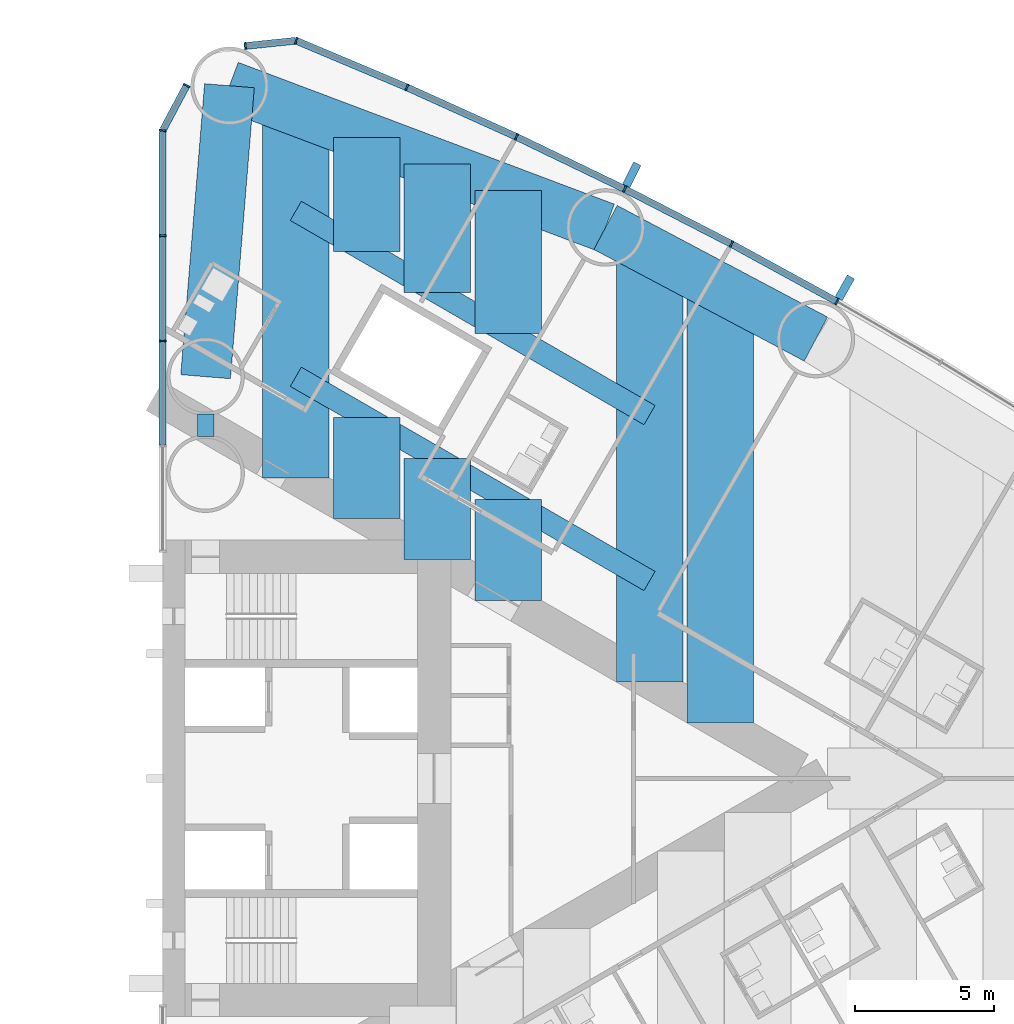
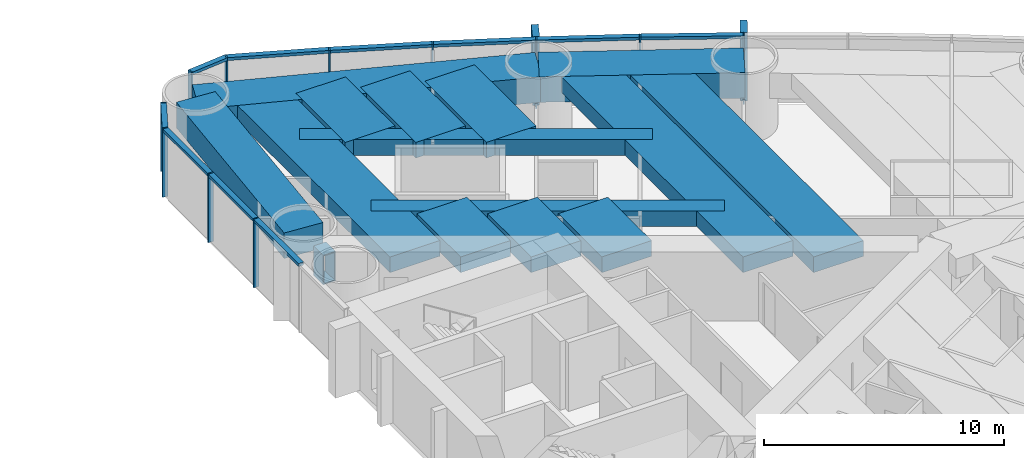
# One storey, part 7 of 18: 23 members, 15 beams, 2 elements without a shape of their own.
"""IFC4 building model written with IfcOpenShell, lengths in metres."""

from ifc_helpers import new_model, si_unit, direction, frame, origin, origin_2d, place, context, subcontext, project, spatial, rectangle, hollow_rectangle, extrude, material, material_profile, profile_set, type_object, element, aggregate, save


model = new_model("IFC4")

# Units and contexts
model_context = context("Model", 3, precision=1e-05, world=origin(), true_north=direction((0.0, 1.0)))
body_context = subcontext(model_context, "Body", "Model", "MODEL_VIEW")
ifc_project = project(units=[si_unit("LENGTHUNIT", "METRE"), si_unit("AREAUNIT", "SQUARE_METRE"), si_unit("VOLUMEUNIT", "CUBIC_METRE"), si_unit("PLANEANGLEUNIT", "RADIAN"), si_unit("MASSUNIT", "GRAM", prefix="KILO")], contexts=[model_context])

# Site, building, storey
site_placement = place(None, origin())
site = spatial("IfcSite", under=ifc_project, at=site_placement, CompositionType="ELEMENT")
building_placement = place(site_placement, origin())
building = spatial("IfcBuilding", under=site, at=building_placement, Name="Lancet Gate Hotel", CompositionType="ELEMENT")
storey_placement = place(building_placement, frame((0.0, 0.0, 53.0)))
storey = spatial("IfcBuildingStorey", under=building, at=storey_placement, Name="L13", CompositionType="ELEMENT", Elevation=53.0)

# Curtain wall, members
ifc_material_1 = material(Name="Aluminium curtain wall", Category="aluminium")
curtain_wall_type = type_object("IfcCurtainWallType", Name="Tower unitised curtain wall", PredefinedType="USERDEFINED", material=ifc_material_1)
curtain_wall_1_placement = place(storey_placement, origin())
curtain_wall_1 = element("IfcCurtainWall", 1, at=curtain_wall_1_placement, inside=storey, type_object=curtain_wall_type, Name="T2 L13 curtain wall 3", ObjectType="UNITISED CURTAIN WALL", PredefinedType="USERDEFINED")
ifc_material_2 = material(Name="Aluminium mullion", Category="aluminium")
ifc_material_profile_1 = material_profile(ifc_material_2, rectangle(XDim=0.06494140625, YDim=0.25, at=origin_2d()), Name="MULLION 65x250")
ifc_profile_set_1 = profile_set([ifc_material_profile_1], Name="Aluminium mullion")
member_type_1 = type_object("IfcMemberType", Name="Aluminium mullion 65x250", PredefinedType="MULLION", material=ifc_profile_set_1)
member_1_placement = place(storey_placement, frame((51.838623046875, 17.208740234375, 0.0), z_axis=(0.0, 0.0, 1.0), x_axis=(-0.871190450382, 0.490945209941, 0.0)))
member_1 = element("IfcMember", 2, at=member_1_placement, type_object=member_type_1, Name="T2 L13 curtain wall 3 mullion 8", PredefinedType="MULLION", context=body_context, shape_type="SweptSolid", body=[
    extrude(rectangle(XDim=0.06494140625, YDim=0.25, at=origin_2d()), origin(), (0.0, 0.0, 1.0), 3.5),
])
member_2_placement = place(storey_placement, frame((48.03271484375, 19.2900390625, 0.0), z_axis=(0.0, 0.0, 1.0), x_axis=(-0.88340346743, 0.468613181347, 0.0)))
member_2 = element("IfcMember", 3, at=member_2_placement, type_object=member_type_1, Name="T2 L13 curtain wall 3 mullion 9", PredefinedType="MULLION", context=body_context, shape_type="SweptSolid", body=[
    extrude(rectangle(XDim=0.06494140625, YDim=0.25, at=origin_2d()), origin(), (0.0, 0.0, 1.0), 3.5),
])
member_3_placement = place(storey_placement, frame((44.17529296875, 21.273681640625, 0.0), z_axis=(0.0, 0.0, 1.0), x_axis=(-0.895044147438, 0.445977548917, 0.0)))
member_3 = element("IfcMember", 4, at=member_3_placement, type_object=member_type_1, Name="T2 L13 curtain wall 3 mullion 10", PredefinedType="MULLION", context=body_context, shape_type="SweptSolid", body=[
    extrude(rectangle(XDim=0.06494140625, YDim=0.25, at=origin_2d()), origin(), (0.0, 0.0, 1.0), 3.5),
])
member_4_placement = place(storey_placement, frame((40.2685546875, 23.15869140625, 0.0), z_axis=(0.0, 0.0, 1.0), x_axis=(-0.906104948671, 0.423052977762, 0.0)))
member_4 = element("IfcMember", 5, at=member_4_placement, type_object=member_type_1, Name="T2 L13 curtain wall 3 mullion 11", PredefinedType="MULLION", context=body_context, shape_type="SweptSolid", body=[
    extrude(rectangle(XDim=0.06494140625, YDim=0.25, at=origin_2d()), origin(), (0.0, 0.0, 1.0), 3.5),
])
member_5_placement = place(storey_placement, frame((36.31494140625, 24.943603515625, 0.0), z_axis=(0.0, 0.0, 1.0), x_axis=(-0.916578705089, 0.399854320193, 0.0)))
member_5 = element("IfcMember", 6, at=member_5_placement, type_object=member_type_1, Name="T2 L13 curtain wall 3 mullion 12", PredefinedType="MULLION", context=body_context, shape_type="SweptSolid", body=[
    extrude(rectangle(XDim=0.06494140625, YDim=0.25, at=origin_2d()), origin(), (0.0, 0.0, 1.0), 3.5),
])
member_6_placement = place(storey_placement, frame((32.3173828125, 26.62744140625, 0.0), z_axis=(0.0, 0.0, 1.0), x_axis=(-0.968721492963, 0.248150496819, 0.0)))
member_6 = element("IfcMember", 7, at=member_6_placement, type_object=member_type_1, Name="T2 L13 curtain wall 3 mullion 13", PredefinedType="MULLION", context=body_context, shape_type="SweptSolid", body=[
    extrude(rectangle(XDim=0.06494140625, YDim=0.25, at=origin_2d()), origin(), (0.0, 0.0, 1.0), 3.5),
])
member_7_placement = place(storey_placement, frame((30.48388671875, 26.4375, 0.0), z_axis=(0.0, 0.0, 1.0), x_axis=(-0.994672262412, -0.10308778001, 0.0)))
member_7 = element("IfcMember", 8, at=member_7_placement, type_object=member_type_1, Name="T2 L13 curtain wall 3 mullion 14", PredefinedType="MULLION", context=body_context, shape_type="SweptSolid", body=[
    extrude(rectangle(XDim=0.06494140625, YDim=0.25, at=origin_2d()), origin(), (0.0, 0.0, 1.0), 3.5),
])

curtain_wall_2_placement = place(storey_placement, origin())
curtain_wall_2 = element("IfcCurtainWall", 9, at=curtain_wall_2_placement, inside=storey, type_object=curtain_wall_type, Name="T2 L13 curtain wall 4", ObjectType="UNITISED CURTAIN WALL", PredefinedType="USERDEFINED")
member_8_placement = place(storey_placement, frame((28.366455078125, 25.012451171875, 0.0), z_axis=(0.0, 0.0, 1.0), x_axis=(-0.469897827284, -0.882720811987, 0.0)))
member_8 = element("IfcMember", 10, at=member_8_placement, type_object=member_type_1, Name="T2 L13 curtain wall 4 mullion 1", PredefinedType="MULLION", context=body_context, shape_type="SweptSolid", body=[
    extrude(rectangle(XDim=0.06494140625, YDim=0.25, at=origin_2d()), origin(), (0.0, 0.0, 1.0), 3.5),
])
member_9_placement = place(storey_placement, frame((27.5, 23.384765625, 0.0), z_axis=(0.0, 0.0, 1.0), x_axis=(-0.157751691459, -0.987478811844, 0.0)))
member_9 = element("IfcMember", 11, at=member_9_placement, type_object=member_type_1, Name="T2 L13 curtain wall 4 mullion 2", PredefinedType="MULLION", context=body_context, shape_type="SweptSolid", body=[
    extrude(rectangle(XDim=0.06494140625, YDim=0.25, at=origin_2d()), origin(), (0.0, 0.0, 1.0), 3.5),
])
member_10_placement = place(storey_placement, frame((27.5, 19.588623046875, 0.0), z_axis=(0.0, 0.0, 1.0), x_axis=(0.0, -1.0, 0.0)))
member_10 = element("IfcMember", 12, at=member_10_placement, type_object=member_type_1, Name="T2 L13 curtain wall 4 mullion 3", PredefinedType="MULLION", context=body_context, shape_type="SweptSolid", body=[
    extrude(rectangle(XDim=0.06494140625, YDim=0.25, at=origin_2d()), origin(), (0.0, 0.0, 1.0), 3.5),
])
member_11_placement = place(storey_placement, frame((27.5, 15.79248046875, 0.0), z_axis=(0.0, 0.0, 1.0), x_axis=(0.0, -1.0, 0.0)))
member_11 = element("IfcMember", 13, at=member_11_placement, type_object=member_type_1, Name="T2 L13 curtain wall 4 mullion 4", PredefinedType="MULLION", context=body_context, shape_type="SweptSolid", body=[
    extrude(rectangle(XDim=0.06494140625, YDim=0.25, at=origin_2d()), origin(), (0.0, 0.0, 1.0), 3.5),
])

# Member
ifc_material_3 = material(Name="Aluminium transom", Category="aluminium")
ifc_material_profile_2 = material_profile(ifc_material_3, rectangle(XDim=0.25, YDim=0.14990234375, at=origin_2d()), Name="TRANSOM 250x150")
ifc_profile_set_2 = profile_set([ifc_material_profile_2], Name="Aluminium transom")
member_type_2 = type_object("IfcMemberType", Name="Aluminium transom 250x150", PredefinedType="USERDEFINED", material=ifc_profile_set_2)
member_12_placement = place(storey_placement, frame((51.81005859375, 17.224365234375, 3.425048828125), z_axis=(-0.877377528879, 0.479800658417, 0.0), x_axis=(-0.479800658417, -0.877377528879, 0.0)))
member_12 = element("IfcMember", 14, at=member_12_placement, type_object=member_type_2, Name="T2 L13 curtain wall 3 transom 8", ObjectType="TRANSOM", PredefinedType="USERDEFINED", context=body_context, shape_type="SweptSolid", body=[
    extrude(rectangle(XDim=0.25, YDim=0.14990234375, at=origin_2d()), origin(), (0.0, 0.0, 1.0), 4.272705078125),
])

member_13_placement = place(storey_placement, frame((48.00390625, 19.304931640625, 3.425048828125), z_axis=(-0.88929576978, 0.457332520002, 0.0), x_axis=(-0.457332520002, -0.88929576978, 0.0)))
member_13 = element("IfcMember", 15, at=member_13_placement, type_object=member_type_2, Name="T2 L13 curtain wall 3 transom 9", ObjectType="TRANSOM", PredefinedType="USERDEFINED", context=body_context, shape_type="SweptSolid", body=[
    extrude(rectangle(XDim=0.25, YDim=0.14990234375, at=origin_2d()), origin(), (0.0, 0.0, 1.0), 4.272705078125),
])

member_14_placement = place(storey_placement, frame((44.14599609375, 21.287841796875, 3.425048828125), z_axis=(-0.900646499888, 0.434552508035, 0.0), x_axis=(-0.434552508035, -0.900646499888, 0.0)))
member_14 = element("IfcMember", 16, at=member_14_placement, type_object=member_type_2, Name="T2 L13 curtain wall 3 transom 10", ObjectType="TRANSOM", PredefinedType="USERDEFINED", context=body_context, shape_type="SweptSolid", body=[
    extrude(rectangle(XDim=0.25, YDim=0.14990234375, at=origin_2d()), origin(), (0.0, 0.0, 1.0), 4.272705078125),
])

member_15_placement = place(storey_placement, frame((40.23876953125, 23.172119140625, 3.425048828125), z_axis=(-0.911396871737, 0.411528543589, 0.0), x_axis=(-0.411528543589, -0.911396871737, 0.0)))
member_15 = element("IfcMember", 17, at=member_15_placement, type_object=member_type_2, Name="T2 L13 curtain wall 3 transom 11", ObjectType="TRANSOM", PredefinedType="USERDEFINED", context=body_context, shape_type="SweptSolid", body=[
    extrude(rectangle(XDim=0.25, YDim=0.14990234375, at=origin_2d()), origin(), (0.0, 0.0, 1.0), 4.272705078125),
])

member_16_placement = place(storey_placement, frame((36.28515625, 24.956298828125, 3.425048828125), z_axis=(-0.92159772617, 0.388146404233, 0.0), x_axis=(-0.388146404233, -0.92159772617, 0.0)))
member_16 = element("IfcMember", 18, at=member_16_placement, type_object=member_type_2, Name="T2 L13 curtain wall 3 transom 12", ObjectType="TRANSOM", PredefinedType="USERDEFINED", context=body_context, shape_type="SweptSolid", body=[
    extrude(rectangle(XDim=0.25, YDim=0.14990234375, at=origin_2d()), origin(), (0.0, 0.0, 1.0), 4.272705078125),
])

member_17_placement = place(storey_placement, frame((32.28515625, 26.6240234375, 3.425048828125), z_axis=(-0.994670452051, -0.103105246306, 0.0), x_axis=(0.103105246306, -0.994670452051, 0.0)))
member_17 = element("IfcMember", 19, at=member_17_placement, type_object=member_type_2, Name="T2 L13 curtain wall 3 transom 13", ObjectType="TRANSOM", PredefinedType="USERDEFINED", context=body_context, shape_type="SweptSolid", body=[
    extrude(rectangle(XDim=0.25, YDim=0.14990234375, at=origin_2d()), origin(), (0.0, 0.0, 1.0), 1.7783203125),
])

member_18_placement = place(storey_placement, frame((28.351318359375, 24.98388671875, 3.425048828125), z_axis=(-0.469904276347, -0.882717378933, 0.0), x_axis=(0.882717378933, -0.469904276347, 0.0)))
member_18 = element("IfcMember", 20, at=member_18_placement, type_object=member_type_2, Name="T2 L13 curtain wall 4 transom 1", ObjectType="TRANSOM", PredefinedType="USERDEFINED", context=body_context, shape_type="SweptSolid", body=[
    extrude(rectangle(XDim=0.25, YDim=0.14990234375, at=origin_2d()), origin(), (0.0, 0.0, 1.0), 1.779052734375),
])

member_19_placement = place(storey_placement, frame((27.5, 23.352294921875, 3.425048828125), z_axis=(0.0, -1.0, 0.0), x_axis=(1.0, 0.0, 0.0)))
member_19 = element("IfcMember", 21, at=member_19_placement, type_object=member_type_2, Name="T2 L13 curtain wall 4 transom 2", ObjectType="TRANSOM", PredefinedType="USERDEFINED", context=body_context, shape_type="SweptSolid", body=[
    extrude(rectangle(XDim=0.25, YDim=0.14990234375, at=origin_2d()), origin(), (0.0, 0.0, 1.0), 3.731201171875),
])

member_20_placement = place(storey_placement, frame((27.5, 19.55615234375, 3.425048828125), z_axis=(0.0, -1.0, 0.0), x_axis=(1.0, 0.0, 0.0)))
member_20 = element("IfcMember", 22, at=member_20_placement, type_object=member_type_2, Name="T2 L13 curtain wall 4 transom 3", ObjectType="TRANSOM", PredefinedType="USERDEFINED", context=body_context, shape_type="SweptSolid", body=[
    extrude(rectangle(XDim=0.25, YDim=0.14990234375, at=origin_2d()), origin(), (0.0, 0.0, 1.0), 3.731201171875),
])

member_21_placement = place(storey_placement, frame((27.5, 15.760009765625, 3.425048828125), z_axis=(0.0, -1.0, 0.0), x_axis=(1.0, 0.0, 0.0)))
member_21 = element("IfcMember", 23, at=member_21_placement, type_object=member_type_2, Name="T2 L13 curtain wall 4 transom 4", ObjectType="TRANSOM", PredefinedType="USERDEFINED", context=body_context, shape_type="SweptSolid", body=[
    extrude(rectangle(XDim=0.25, YDim=0.14990234375, at=origin_2d()), origin(), (0.0, 0.0, 1.0), 3.731201171875),
])

aggregate(curtain_wall_2, [member_8, member_9, member_10, member_11, member_18, member_19, member_20, member_21])

# Beams
ifc_material_4 = material(Name="Concrete C50/60", Category="concrete")
ifc_material_profile_3 = material_profile(ifc_material_4, rectangle(XDim=1.800048828125, YDim=1.300048828125, at=origin_2d()), Name="RC 1800x1300")
ifc_profile_set_3 = profile_set([ifc_material_profile_3], Name="Concrete C50/60")
beam_type_1 = type_object("IfcBeamType", Name="Edge beam RC 1800x1300", PredefinedType="SPANDREL", material=ifc_profile_set_3)
beam_1_placement = place(storey_placement, frame((51.07763671875, 15.8583984375, 2.60009765625), z_axis=(-0.883403493655, 0.46861313191, 0.0), x_axis=(-0.46861313191, -0.883403493655, 0.0)))
element("IfcBeam", 24, at=beam_1_placement, inside=storey, type_object=beam_type_1, Name="T2 edge beam EB1 L13", PredefinedType="SPANDREL", context=body_context, shape_type="SweptSolid", body=[
    extrude(rectangle(XDim=1.800048828125, YDim=1.300048828125, at=origin_2d()), origin(), (0.0, 0.0, 1.0), 8.595703125),
])
beam_2_placement = place(storey_placement, frame((43.484130859375, 19.886474609375, 2.60009765625), z_axis=(-0.935736448066, 0.352700013836, 0.0), x_axis=(-0.352700013836, -0.935736448066, 0.0)))
element("IfcBeam", 25, at=beam_2_placement, inside=storey, type_object=beam_type_1, Name="T2 edge beam EB1 L13", PredefinedType="SPANDREL", context=body_context, shape_type="SweptSolid", body=[
    extrude(rectangle(XDim=1.800048828125, YDim=1.300048828125, at=origin_2d()), origin(), (0.0, 0.0, 1.0), 14.505126953125),
])
beam_3_placement = place(storey_placement, frame((29.050048828125, 14.5, 2.60009765625), z_axis=(0.081714744052, 0.996655758326, 0.0), x_axis=(-0.996655758326, 0.081714744052, 0.0)))
element("IfcBeam", 26, at=beam_3_placement, inside=storey, type_object=beam_type_1, Name="T2 edge beam EB1 L13", PredefinedType="SPANDREL", context=body_context, shape_type="SweptSolid", body=[
    extrude(rectangle(XDim=1.800048828125, YDim=1.300048828125, at=origin_2d()), origin(), (0.0, 0.0, 1.0), 10.53759765625),
])

# Member
ifc_material_5 = material(Name="Precast concrete C50/60", Category="concrete")
ifc_material_profile_4 = material_profile(ifc_material_5, rectangle(XDim=0.300048828125, YDim=0.89990234375, at=origin_2d()), Name="FIN 300x900")
ifc_profile_set_4 = profile_set([ifc_material_profile_4], Name="Precast concrete C50/60")
member_type_3 = type_object("IfcMemberType", Name="Exposed concrete fin 300x900", PredefinedType="USERDEFINED", material=ifc_profile_set_4)
member_22_placement = place(storey_placement, frame((52.120849609375, 17.709716796875, 0.0), z_axis=(0.0, 0.0, 1.0), x_axis=(-0.871190450382, 0.490945209941, 0.0)))
member_22 = element("IfcMember", 27, at=member_22_placement, type_object=member_type_3, Name="T2 L13 curtain wall 3 fin 8", ObjectType="FIN", PredefinedType="USERDEFINED", context=body_context, shape_type="SweptSolid", body=[
    extrude(rectangle(XDim=0.300048828125, YDim=0.89990234375, at=origin_2d()), origin(), (0.0, 0.0, 1.0), 3.5),
])

member_23_placement = place(storey_placement, frame((44.431640625, 21.788330078125, 0.0), z_axis=(0.0, 0.0, 1.0), x_axis=(-0.895044147438, 0.445977548917, 0.0)))
member_23 = element("IfcMember", 28, at=member_23_placement, type_object=member_type_3, Name="T2 L13 curtain wall 3 fin 10", ObjectType="FIN", PredefinedType="USERDEFINED", context=body_context, shape_type="SweptSolid", body=[
    extrude(rectangle(XDim=0.300048828125, YDim=0.89990234375, at=origin_2d()), origin(), (0.0, 0.0, 1.0), 3.5),
])

aggregate(curtain_wall_1, [member_1, member_22, member_2, member_3, member_23, member_4, member_5, member_6, member_7, member_12, member_13, member_14, member_15, member_16, member_17])

# Beams
ifc_material_6 = material(Name="Concrete C50/60", Category="concrete")
ifc_material_profile_5 = material_profile(ifc_material_6, rectangle(XDim=2.39990234375, YDim=0.800048828125, at=origin_2d()), Name="RC 2400x800")
ifc_profile_set_5 = profile_set([ifc_material_profile_5], Name="Concrete C50/60")
beam_type_2 = type_object("IfcBeamType", Name="Floor beam RC 2400x800", PredefinedType="BEAM", material=ifc_profile_set_5)
beam_4_placement = place(storey_placement, frame((32.306396484375, 10.851806640625, 2.85009765625), z_axis=(0.0, 1.0, 0.0), x_axis=(-1.0, 0.0, 0.0)))
element("IfcBeam", 29, at=beam_4_placement, inside=storey, type_object=beam_type_2, Name="T2 floor beam F04N L13", PredefinedType="BEAM", context=body_context, shape_type="SweptSolid", body=[
    extrude(rectangle(XDim=2.39990234375, YDim=0.800048828125, at=origin_2d()), origin(), (0.0, 0.0, 1.0), 13.247802734375),
])
beam_5_placement = place(storey_placement, frame((45.072265625, 3.4814453125, 2.85009765625), z_axis=(0.0, 1.0, 0.0), x_axis=(-1.0, 0.0, 0.0)))
element("IfcBeam", 30, at=beam_5_placement, inside=storey, type_object=beam_type_2, Name="T2 floor beam F12N L13", PredefinedType="BEAM", context=body_context, shape_type="SweptSolid", body=[
    extrude(rectangle(XDim=2.39990234375, YDim=0.800048828125, at=origin_2d()), origin(), (0.0, 0.0, 1.0), 15.5625),
])
beam_6_placement = place(storey_placement, frame((47.62548828125, 2.00732421875, 2.85009765625), z_axis=(0.0, 1.0, 0.0), x_axis=(-1.0, 0.0, 0.0)))
element("IfcBeam", 31, at=beam_6_placement, inside=storey, type_object=beam_type_2, Name="T2 floor beam F14N L13", PredefinedType="BEAM", context=body_context, shape_type="SweptSolid", body=[
    extrude(rectangle(XDim=2.39990234375, YDim=0.800048828125, at=origin_2d()), origin(), (0.0, 0.0, 1.0), 15.68212890625),
])
beam_7_placement = place(storey_placement, frame((34.859619140625, 9.377685546875, 2.85009765625), z_axis=(0.0, 1.0, 0.0), x_axis=(-1.0, 0.0, 0.0)))
element("IfcBeam", 32, at=beam_7_placement, inside=storey, type_object=beam_type_2, Name="T2 floor beam F06NA L13", PredefinedType="BEAM", context=body_context, shape_type="SweptSolid", body=[
    extrude(rectangle(XDim=2.39990234375, YDim=0.800048828125, at=origin_2d()), origin(), (0.0, 0.0, 1.0), 3.645751953125),
])
beam_8_placement = place(storey_placement, frame((34.859619140625, 19.011474609375, 2.85009765625), z_axis=(0.0, 1.0, 0.0), x_axis=(-1.0, 0.0, 0.0)))
element("IfcBeam", 33, at=beam_8_placement, inside=storey, type_object=beam_type_2, Name="T2 floor beam F06NB L13", PredefinedType="BEAM", context=body_context, shape_type="SweptSolid", body=[
    extrude(rectangle(XDim=2.39990234375, YDim=0.800048828125, at=origin_2d()), origin(), (0.0, 0.0, 1.0), 4.125732421875),
])
beam_9_placement = place(storey_placement, frame((37.412841796875, 7.903564453125, 2.85009765625), z_axis=(0.0, 1.0, 0.0), x_axis=(-1.0, 0.0, 0.0)))
element("IfcBeam", 34, at=beam_9_placement, inside=storey, type_object=beam_type_2, Name="T2 floor beam F08NA L13", PredefinedType="BEAM", context=body_context, shape_type="SweptSolid", body=[
    extrude(rectangle(XDim=2.39990234375, YDim=0.800048828125, at=origin_2d()), origin(), (0.0, 0.0, 1.0), 3.6455078125),
])
beam_10_placement = place(storey_placement, frame((37.412841796875, 17.537109375, 2.85009765625), z_axis=(0.0, 1.0, 0.0), x_axis=(-1.0, 0.0, 0.0)))
element("IfcBeam", 35, at=beam_10_placement, inside=storey, type_object=beam_type_2, Name="T2 floor beam F08NB L13", PredefinedType="BEAM", context=body_context, shape_type="SweptSolid", body=[
    extrude(rectangle(XDim=2.39990234375, YDim=0.800048828125, at=origin_2d()), origin(), (0.0, 0.0, 1.0), 4.6376953125),
])
beam_11_placement = place(storey_placement, frame((39.9658203125, 6.429443359375, 2.85009765625), z_axis=(0.0, 1.0, 0.0), x_axis=(-1.0, 0.0, 0.0)))
element("IfcBeam", 36, at=beam_11_placement, inside=storey, type_object=beam_type_2, Name="T2 floor beam F10NA L13", PredefinedType="BEAM", context=body_context, shape_type="SweptSolid", body=[
    extrude(rectangle(XDim=2.39990234375, YDim=0.800048828125, at=origin_2d()), origin(), (0.0, 0.0, 1.0), 3.64501953125),
])
beam_12_placement = place(storey_placement, frame((39.9658203125, 16.062744140625, 2.85009765625), z_axis=(0.0, 1.0, 0.0), x_axis=(-1.0, 0.0, 0.0)))
element("IfcBeam", 37, at=beam_12_placement, inside=storey, type_object=beam_type_2, Name="T2 floor beam F10NB L13", PredefinedType="BEAM", context=body_context, shape_type="SweptSolid", body=[
    extrude(rectangle(XDim=2.39990234375, YDim=0.800048828125, at=origin_2d()), origin(), (0.0, 0.0, 1.0), 5.14990234375),
])
ifc_material_7 = material(Name="Steel S460QL", Category="steel")
ifc_material_profile_6 = material_profile(ifc_material_7, hollow_rectangle(XDim=0.60009765625, YDim=1.5, WallThickness=0.050048828125, at=origin_2d()), Name="BOX 1500x600x50")
ifc_profile_set_6 = profile_set([ifc_material_profile_6], Name="Steel S460QL")
beam_type_3 = type_object("IfcBeamType", Name="Inner-face link beam BOX 1500x600x50", PredefinedType="BEAM", material=ifc_profile_set_6)
beam_13_placement = place(storey_placement, frame((29.050048828125, 12.35009765625, 2.5), z_axis=(0.0, 1.0, 0.0), x_axis=(-1.0, 0.0, 0.0)))
element("IfcBeam", 38, at=beam_13_placement, inside=storey, type_object=beam_type_3, Name="T2 inner-face link beam LK1 L13", PredefinedType="BEAM", context=body_context, shape_type="SweptSolid", body=[
    extrude(hollow_rectangle(XDim=0.60009765625, YDim=1.5, WallThickness=0.050048828125, at=origin_2d()), origin(), (0.0, 0.0, 1.0), 0.7998046875),
])
ifc_material_8 = material(Name="Steel S460QL", Category="steel")
ifc_material_profile_7 = material_profile(ifc_material_8, hollow_rectangle(XDim=0.800048828125, YDim=0.800048828125, WallThickness=0.080078125, at=origin_2d()), Name="BOX 800x800x80")
ifc_profile_set_7 = profile_set([ifc_material_profile_7], Name="Steel S460QL")
beam_type_4 = type_object("IfcBeamType", Name="Trimmer beam BOX 800x800x80", PredefinedType="BEAM", material=ifc_profile_set_7)
beam_14_placement = place(storey_placement, frame((32.306396484375, 20.48583984375, 2.85009765625), z_axis=(0.86598286195, -0.500073677381, 0.0), x_axis=(0.500073677381, 0.86598286195, 0.0)))
element("IfcBeam", 39, at=beam_14_placement, inside=storey, type_object=beam_type_4, Name="T2 trimmer beam TR03N L13", PredefinedType="BEAM", context=body_context, shape_type="SweptSolid", body=[
    extrude(hollow_rectangle(XDim=0.800048828125, YDim=0.800048828125, WallThickness=0.080078125, at=origin_2d()), origin(), (0.0, 0.0, 1.0), 14.741455078125),
])
beam_15_placement = place(storey_placement, frame((32.306396484375, 14.497802734375, 2.85009765625), z_axis=(0.865975689888, -0.500086097111, 0.0), x_axis=(0.500086097111, 0.865975689888, 0.0)))
element("IfcBeam", 40, at=beam_15_placement, inside=storey, type_object=beam_type_4, Name="T2 trimmer beam TR04N L13", PredefinedType="BEAM", context=body_context, shape_type="SweptSolid", body=[
    extrude(hollow_rectangle(XDim=0.800048828125, YDim=0.800048828125, WallThickness=0.080078125, at=origin_2d()), origin(), (0.0, 0.0, 1.0), 14.74169921875),
])

save(model, "model.ifc")
